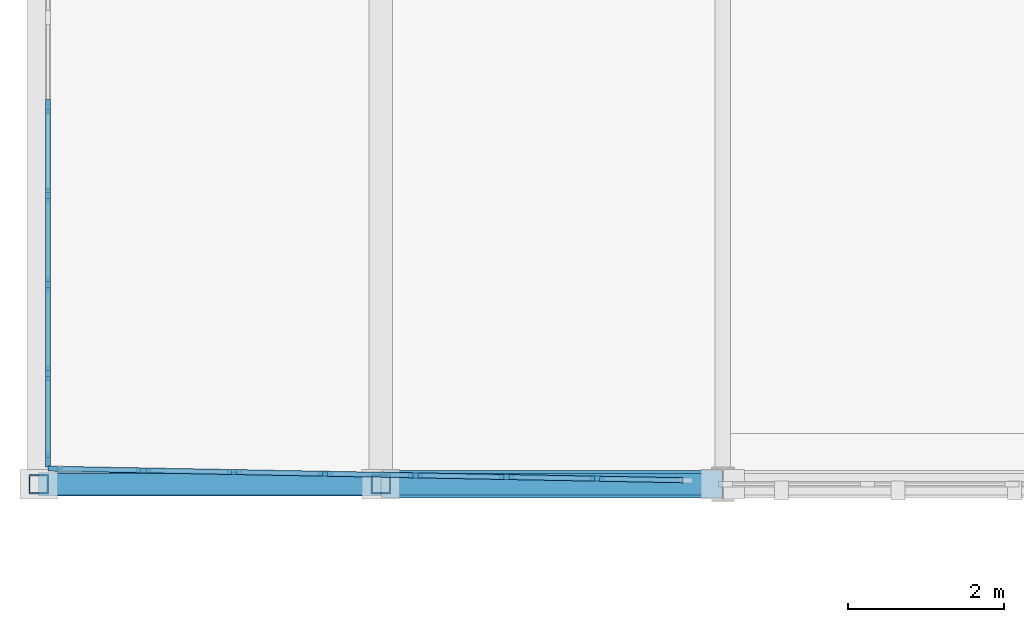
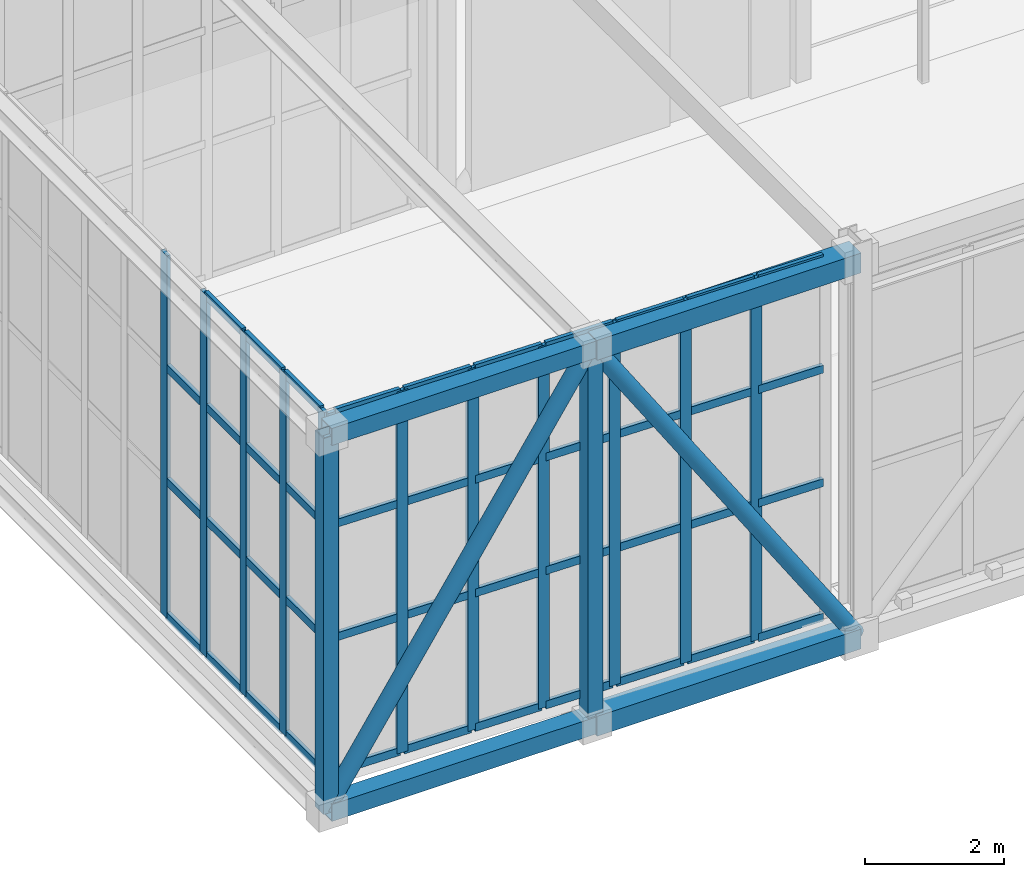
# One storey, part 12 of 62: 63 members, 2 elements without a shape of their own.
"""IFC4 building model written with IfcOpenShell, lengths in metres."""

from ifc_helpers import new_model, si_unit, direction, frame, origin, origin_2d, place, context, subcontext, project, spatial, rectangle, hollow_rectangle, hollow_circle, extrude, material, layer, layer_set, material_profile, profile_set, type_object, element, aggregate, save


model = new_model("IFC4")

# Units and contexts
model_context = context("Model", 3, precision=1e-05, world=origin(), true_north=direction((0.0, 1.0)))
body_context = subcontext(model_context, "Body", "Model", "MODEL_VIEW")
ifc_project = project(units=[si_unit("LENGTHUNIT", "METRE"), si_unit("AREAUNIT", "SQUARE_METRE"), si_unit("VOLUMEUNIT", "CUBIC_METRE"), si_unit("PLANEANGLEUNIT", "RADIAN"), si_unit("MASSUNIT", "GRAM", prefix="KILO")], contexts=[model_context])

# Site, building, storey
site_placement = place(None, origin())
site = spatial("IfcSite", under=ifc_project, at=site_placement, CompositionType="ELEMENT")
building_placement = place(site_placement, origin())
building = spatial("IfcBuilding", under=site, at=building_placement, Name="Zlatogorsky Bluff Art Gallery", CompositionType="ELEMENT")
storey_placement = place(building_placement, frame((0.0, 0.0, 16.800048828125)))
storey = spatial("IfcBuildingStorey", under=building, at=storey_placement, Name="L03", CompositionType="ELEMENT", Elevation=16.800048828125)

# Curtain wall, members
ifc_material_1 = material(Name="Anodised Bronze Aluminium and Low-Iron Triple Glazing", Category="aluminium")
ifc_layer = layer(ifc_material_1, 0.179931640625)
ifc_layer_set = layer_set([ifc_layer], Name="Curtain Wall CW-03")
curtain_wall_type = type_object("IfcCurtainWallType", Name="Curtain Wall CW-03", PredefinedType="USERDEFINED", material=ifc_layer_set)
curtain_wall_1_placement = place(storey_placement, origin())
curtain_wall_1 = element("IfcCurtainWall", 1, at=curtain_wall_1_placement, inside=storey, type_object=curtain_wall_type, Name="Cantilevered lookout curtain wall W", ObjectType="CURTAIN WALL", PredefinedType="USERDEFINED")
ifc_material_2 = material(Name="Anodised Bronze Aluminium", Category="aluminium")
ifc_material_profile_1 = material_profile(ifc_material_2, rectangle(XDim=0.06494140625, YDim=0.179931640625, at=origin_2d()), Name="ALU MULLION 65x180")
ifc_profile_set_1 = profile_set([ifc_material_profile_1], Name="Anodised Bronze Aluminium")
member_type_1 = type_object("IfcMemberType", Name="Curtain Mullion ML-01", PredefinedType="MULLION", material=ifc_profile_set_1)
member_1_placement = place(storey_placement, frame((-8.679931640625, 88.85595703125, 0.0), z_axis=(0.0, 0.0, 1.0), x_axis=(1.0, 0.0, 0.0)))
member_1 = element("IfcMember", 2, at=member_1_placement, type_object=member_type_1, Name="CW-03 mullion 7", PredefinedType="MULLION", context=body_context, shape_type="SweptSolid", body=[
    extrude(rectangle(XDim=0.06494140625, YDim=0.179931640625, at=origin_2d()), origin(), (0.0, 0.0, 1.0), 6.3798828125),
])
member_2_placement = place(storey_placement, frame((-8.679931640625, 87.7119140625, 0.0), z_axis=(0.0, 0.0, 1.0), x_axis=(1.0, 0.0, 0.0)))
member_2 = element("IfcMember", 3, at=member_2_placement, type_object=member_type_1, Name="CW-03 mullion 8", PredefinedType="MULLION", context=body_context, shape_type="SweptSolid", body=[
    extrude(rectangle(XDim=0.06494140625, YDim=0.179931640625, at=origin_2d()), origin(), (0.0, 0.0, 1.0), 6.3798828125),
])
member_3_placement = place(storey_placement, frame((-8.679931640625, 86.568115234375, 0.0), z_axis=(0.0, 0.0, 1.0), x_axis=(1.0, 0.0, 0.0)))
member_3 = element("IfcMember", 4, at=member_3_placement, type_object=member_type_1, Name="CW-03 mullion 9", PredefinedType="MULLION", context=body_context, shape_type="SweptSolid", body=[
    extrude(rectangle(XDim=0.06494140625, YDim=0.179931640625, at=origin_2d()), origin(), (0.0, 0.0, 1.0), 6.3798828125),
])
member_4_placement = place(storey_placement, frame((-8.679931640625, 85.424072265625, 0.0), z_axis=(0.0, 0.0, 1.0), x_axis=(1.0, 0.0, 0.0)))
member_4 = element("IfcMember", 5, at=member_4_placement, type_object=member_type_1, Name="CW-03 mullion 10", PredefinedType="MULLION", context=body_context, shape_type="SweptSolid", body=[
    extrude(rectangle(XDim=0.06494140625, YDim=0.179931640625, at=origin_2d()), origin(), (0.0, 0.0, 1.0), 6.3798828125),
])
member_5_placement = place(storey_placement, frame((-8.679931640625, 84.3125, 0.0), z_axis=(0.0, 0.0, 1.0), x_axis=(1.0, 0.0, 0.0)))
member_5 = element("IfcMember", 6, at=member_5_placement, type_object=member_type_1, Name="CW-03 mullion 11", PredefinedType="MULLION", context=body_context, shape_type="SweptSolid", body=[
    extrude(rectangle(XDim=0.06494140625, YDim=0.179931640625, at=origin_2d()), origin(), (0.0, 0.0, 1.0), 6.3798828125),
])

curtain_wall_2_placement = place(storey_placement, origin())
curtain_wall_2 = element("IfcCurtainWall", 7, at=curtain_wall_2_placement, inside=storey, type_object=curtain_wall_type, Name="Cantilevered lookout curtain wall S", ObjectType="CURTAIN WALL", PredefinedType="USERDEFINED")
member_6_placement = place(storey_placement, frame((-8.58740234375, 84.199462890625, 0.0), z_axis=(0.0, 0.0, 1.0), x_axis=(0.018356759503, 0.999831500494, 0.0)))
member_6 = element("IfcMember", 8, at=member_6_placement, type_object=member_type_1, Name="CW-03 mullion 1", PredefinedType="MULLION", context=body_context, shape_type="SweptSolid", body=[
    extrude(rectangle(XDim=0.06494140625, YDim=0.179931640625, at=origin_2d()), origin(), (0.0, 0.0, 1.0), 6.3798828125),
])
member_7_placement = place(storey_placement, frame((-7.452880859375, 84.178466796875, 0.0), z_axis=(0.0, 0.0, 1.0), x_axis=(0.018356759503, 0.999831500494, 0.0)))
member_7 = element("IfcMember", 9, at=member_7_placement, type_object=member_type_1, Name="CW-03 mullion 2", PredefinedType="MULLION", context=body_context, shape_type="SweptSolid", body=[
    extrude(rectangle(XDim=0.06494140625, YDim=0.179931640625, at=origin_2d()), origin(), (0.0, 0.0, 1.0), 6.3798828125),
])
member_8_placement = place(storey_placement, frame((-6.28564453125, 84.1572265625, 0.0), z_axis=(0.0, 0.0, 1.0), x_axis=(0.018356759503, 0.999831500494, 0.0)))
member_8 = element("IfcMember", 10, at=member_8_placement, type_object=member_type_1, Name="CW-03 mullion 3", PredefinedType="MULLION", context=body_context, shape_type="SweptSolid", body=[
    extrude(rectangle(XDim=0.06494140625, YDim=0.179931640625, at=origin_2d()), origin(), (0.0, 0.0, 1.0), 6.3798828125),
])
member_9_placement = place(storey_placement, frame((-5.11865234375, 84.1357421875, 0.0), z_axis=(0.0, 0.0, 1.0), x_axis=(0.018356759503, 0.999831500494, 0.0)))
member_9 = element("IfcMember", 11, at=member_9_placement, type_object=member_type_1, Name="CW-03 mullion 4", PredefinedType="MULLION", context=body_context, shape_type="SweptSolid", body=[
    extrude(rectangle(XDim=0.06494140625, YDim=0.179931640625, at=origin_2d()), origin(), (0.0, 0.0, 1.0), 6.3798828125),
])
member_10_placement = place(storey_placement, frame((-3.951416015625, 84.1142578125, 0.0), z_axis=(0.0, 0.0, 1.0), x_axis=(0.018356759503, 0.999831500494, 0.0)))
member_10 = element("IfcMember", 12, at=member_10_placement, type_object=member_type_1, Name="CW-03 mullion 5", PredefinedType="MULLION", context=body_context, shape_type="SweptSolid", body=[
    extrude(rectangle(XDim=0.06494140625, YDim=0.179931640625, at=origin_2d()), origin(), (0.0, 0.0, 1.0), 6.3798828125),
])
member_11_placement = place(storey_placement, frame((-2.7841796875, 84.0927734375, 0.0), z_axis=(0.0, 0.0, 1.0), x_axis=(0.018356759503, 0.999831500494, 0.0)))
member_11 = element("IfcMember", 13, at=member_11_placement, type_object=member_type_1, Name="CW-03 mullion 6", PredefinedType="MULLION", context=body_context, shape_type="SweptSolid", body=[
    extrude(rectangle(XDim=0.06494140625, YDim=0.179931640625, at=origin_2d()), origin(), (0.0, 0.0, 1.0), 6.3798828125),
])
member_12_placement = place(storey_placement, frame((-1.6171875, 84.071533203125, 0.0), z_axis=(0.0, 0.0, 1.0), x_axis=(0.018356759503, 0.999831500494, 0.0)))
member_12 = element("IfcMember", 14, at=member_12_placement, type_object=member_type_1, Name="CW-03 mullion 7", PredefinedType="MULLION", context=body_context, shape_type="SweptSolid", body=[
    extrude(rectangle(XDim=0.06494140625, YDim=0.179931640625, at=origin_2d()), origin(), (0.0, 0.0, 1.0), 6.3798828125),
])

# Member
ifc_material_profile_2 = material_profile(ifc_material_2, rectangle(XDim=0.06494140625, YDim=0.139892578125, at=origin_2d()), Name="ALU TRANSOM 65x140")
ifc_profile_set_2 = profile_set([ifc_material_profile_2], Name="Anodised Bronze Aluminium")
member_type_2 = type_object("IfcMemberType", Name="Curtain Transom TR-01", PredefinedType="USERDEFINED", material=ifc_profile_set_2)
member_13_placement = place(storey_placement, frame((-8.679931640625, 88.823486328125, 0.032470703125), z_axis=(0.0, -1.0, 0.0), x_axis=(1.0, 0.0, 0.0)))
member_13 = element("IfcMember", 15, at=member_13_placement, type_object=member_type_2, Name="CW-03 transom 7.1", ObjectType="TRANSOM", PredefinedType="USERDEFINED", context=body_context, shape_type="SweptSolid", body=[
    extrude(rectangle(XDim=0.06494140625, YDim=0.139892578125, at=origin_2d()), origin(), (0.0, 0.0, 1.0), 1.0791015625),
])

member_14_placement = place(storey_placement, frame((-8.679931640625, 88.823486328125, 2.39990234375), z_axis=(0.0, -1.0, 0.0), x_axis=(1.0, 0.0, 0.0)))
member_14 = element("IfcMember", 16, at=member_14_placement, type_object=member_type_2, Name="CW-03 transom 7.2", ObjectType="TRANSOM", PredefinedType="USERDEFINED", context=body_context, shape_type="SweptSolid", body=[
    extrude(rectangle(XDim=0.06494140625, YDim=0.139892578125, at=origin_2d()), origin(), (0.0, 0.0, 1.0), 1.0791015625),
])

member_15_placement = place(storey_placement, frame((-8.679931640625, 88.823486328125, 4.39990234375), z_axis=(0.0, -1.0, 0.0), x_axis=(1.0, 0.0, 0.0)))
member_15 = element("IfcMember", 17, at=member_15_placement, type_object=member_type_2, Name="CW-03 transom 7.3", ObjectType="TRANSOM", PredefinedType="USERDEFINED", context=body_context, shape_type="SweptSolid", body=[
    extrude(rectangle(XDim=0.06494140625, YDim=0.139892578125, at=origin_2d()), origin(), (0.0, 0.0, 1.0), 1.0791015625),
])

member_16_placement = place(storey_placement, frame((-8.679931640625, 87.679443359375, 0.032470703125), z_axis=(0.0, -1.0, 0.0), x_axis=(1.0, 0.0, 0.0)))
member_16 = element("IfcMember", 18, at=member_16_placement, type_object=member_type_2, Name="CW-03 transom 8.1", ObjectType="TRANSOM", PredefinedType="USERDEFINED", context=body_context, shape_type="SweptSolid", body=[
    extrude(rectangle(XDim=0.06494140625, YDim=0.139892578125, at=origin_2d()), origin(), (0.0, 0.0, 1.0), 1.078857421875),
])

member_17_placement = place(storey_placement, frame((-8.679931640625, 87.679443359375, 2.39990234375), z_axis=(0.0, -1.0, 0.0), x_axis=(1.0, 0.0, 0.0)))
member_17 = element("IfcMember", 19, at=member_17_placement, type_object=member_type_2, Name="CW-03 transom 8.2", ObjectType="TRANSOM", PredefinedType="USERDEFINED", context=body_context, shape_type="SweptSolid", body=[
    extrude(rectangle(XDim=0.06494140625, YDim=0.139892578125, at=origin_2d()), origin(), (0.0, 0.0, 1.0), 1.078857421875),
])

member_18_placement = place(storey_placement, frame((-8.679931640625, 87.679443359375, 4.39990234375), z_axis=(0.0, -1.0, 0.0), x_axis=(1.0, 0.0, 0.0)))
member_18 = element("IfcMember", 20, at=member_18_placement, type_object=member_type_2, Name="CW-03 transom 8.3", ObjectType="TRANSOM", PredefinedType="USERDEFINED", context=body_context, shape_type="SweptSolid", body=[
    extrude(rectangle(XDim=0.06494140625, YDim=0.139892578125, at=origin_2d()), origin(), (0.0, 0.0, 1.0), 1.078857421875),
])

member_19_placement = place(storey_placement, frame((-8.679931640625, 87.679443359375, 6.347412109375), z_axis=(0.0, -1.0, 0.0), x_axis=(1.0, 0.0, 0.0)))
member_19 = element("IfcMember", 21, at=member_19_placement, type_object=member_type_2, Name="CW-03 transom 8.4", ObjectType="TRANSOM", PredefinedType="USERDEFINED", context=body_context, shape_type="SweptSolid", body=[
    extrude(rectangle(XDim=0.06494140625, YDim=0.139892578125, at=origin_2d()), origin(), (0.0, 0.0, 1.0), 1.078857421875),
])

member_20_placement = place(storey_placement, frame((-8.679931640625, 86.535400390625, 0.032470703125), z_axis=(0.0, -1.0, 0.0), x_axis=(1.0, 0.0, 0.0)))
member_20 = element("IfcMember", 22, at=member_20_placement, type_object=member_type_2, Name="CW-03 transom 9.1", ObjectType="TRANSOM", PredefinedType="USERDEFINED", context=body_context, shape_type="SweptSolid", body=[
    extrude(rectangle(XDim=0.06494140625, YDim=0.139892578125, at=origin_2d()), origin(), (0.0, 0.0, 1.0), 1.078857421875),
])

member_21_placement = place(storey_placement, frame((-8.679931640625, 86.535400390625, 2.39990234375), z_axis=(0.0, -1.0, 0.0), x_axis=(1.0, 0.0, 0.0)))
member_21 = element("IfcMember", 23, at=member_21_placement, type_object=member_type_2, Name="CW-03 transom 9.2", ObjectType="TRANSOM", PredefinedType="USERDEFINED", context=body_context, shape_type="SweptSolid", body=[
    extrude(rectangle(XDim=0.06494140625, YDim=0.139892578125, at=origin_2d()), origin(), (0.0, 0.0, 1.0), 1.078857421875),
])

member_22_placement = place(storey_placement, frame((-8.679931640625, 86.535400390625, 4.39990234375), z_axis=(0.0, -1.0, 0.0), x_axis=(1.0, 0.0, 0.0)))
member_22 = element("IfcMember", 24, at=member_22_placement, type_object=member_type_2, Name="CW-03 transom 9.3", ObjectType="TRANSOM", PredefinedType="USERDEFINED", context=body_context, shape_type="SweptSolid", body=[
    extrude(rectangle(XDim=0.06494140625, YDim=0.139892578125, at=origin_2d()), origin(), (0.0, 0.0, 1.0), 1.078857421875),
])

member_23_placement = place(storey_placement, frame((-8.679931640625, 86.535400390625, 6.347412109375), z_axis=(0.0, -1.0, 0.0), x_axis=(1.0, 0.0, 0.0)))
member_23 = element("IfcMember", 25, at=member_23_placement, type_object=member_type_2, Name="CW-03 transom 9.4", ObjectType="TRANSOM", PredefinedType="USERDEFINED", context=body_context, shape_type="SweptSolid", body=[
    extrude(rectangle(XDim=0.06494140625, YDim=0.139892578125, at=origin_2d()), origin(), (0.0, 0.0, 1.0), 1.078857421875),
])

member_24_placement = place(storey_placement, frame((-8.679931640625, 85.3916015625, 0.032470703125), z_axis=(0.0, -1.0, 0.0), x_axis=(1.0, 0.0, 0.0)))
member_24 = element("IfcMember", 26, at=member_24_placement, type_object=member_type_2, Name="CW-03 transom 10.1", ObjectType="TRANSOM", PredefinedType="USERDEFINED", context=body_context, shape_type="SweptSolid", body=[
    extrude(rectangle(XDim=0.06494140625, YDim=0.139892578125, at=origin_2d()), origin(), (0.0, 0.0, 1.0), 1.046630859375),
])

member_25_placement = place(storey_placement, frame((-8.679931640625, 85.3916015625, 2.39990234375), z_axis=(0.0, -1.0, 0.0), x_axis=(1.0, 0.0, 0.0)))
member_25 = element("IfcMember", 27, at=member_25_placement, type_object=member_type_2, Name="CW-03 transom 10.2", ObjectType="TRANSOM", PredefinedType="USERDEFINED", context=body_context, shape_type="SweptSolid", body=[
    extrude(rectangle(XDim=0.06494140625, YDim=0.139892578125, at=origin_2d()), origin(), (0.0, 0.0, 1.0), 1.046630859375),
])

member_26_placement = place(storey_placement, frame((-8.679931640625, 85.3916015625, 4.39990234375), z_axis=(0.0, -1.0, 0.0), x_axis=(1.0, 0.0, 0.0)))
member_26 = element("IfcMember", 28, at=member_26_placement, type_object=member_type_2, Name="CW-03 transom 10.3", ObjectType="TRANSOM", PredefinedType="USERDEFINED", context=body_context, shape_type="SweptSolid", body=[
    extrude(rectangle(XDim=0.06494140625, YDim=0.139892578125, at=origin_2d()), origin(), (0.0, 0.0, 1.0), 1.046630859375),
])

member_27_placement = place(storey_placement, frame((-8.679931640625, 85.3916015625, 6.347412109375), z_axis=(0.0, -1.0, 0.0), x_axis=(1.0, 0.0, 0.0)))
member_27 = element("IfcMember", 29, at=member_27_placement, type_object=member_type_2, Name="CW-03 transom 10.4", ObjectType="TRANSOM", PredefinedType="USERDEFINED", context=body_context, shape_type="SweptSolid", body=[
    extrude(rectangle(XDim=0.06494140625, YDim=0.139892578125, at=origin_2d()), origin(), (0.0, 0.0, 1.0), 1.046630859375),
])

aggregate(curtain_wall_1, [member_1, member_2, member_3, member_4, member_5, member_13, member_14, member_15, member_16, member_17, member_18, member_19, member_20, member_21, member_22, member_23, member_24, member_25, member_26, member_27])

member_28_placement = place(storey_placement, frame((-8.554931640625, 84.19873046875, 0.032470703125), z_axis=(0.999833315631, -0.018257627311, 0.0), x_axis=(0.018257627311, 0.999833315631, 0.0)))
member_28 = element("IfcMember", 30, at=member_28_placement, type_object=member_type_2, Name="CW-03 transom 1.1", ObjectType="TRANSOM", PredefinedType="USERDEFINED", context=body_context, shape_type="SweptSolid", body=[
    extrude(rectangle(XDim=0.06494140625, YDim=0.139892578125, at=origin_2d()), origin(), (0.0, 0.0, 1.0), 1.06982421875),
])

member_29_placement = place(storey_placement, frame((-8.554931640625, 84.19873046875, 2.39990234375), z_axis=(0.999833315631, -0.018257627311, 0.0), x_axis=(0.018257627311, 0.999833315631, 0.0)))
member_29 = element("IfcMember", 31, at=member_29_placement, type_object=member_type_2, Name="CW-03 transom 1.2", ObjectType="TRANSOM", PredefinedType="USERDEFINED", context=body_context, shape_type="SweptSolid", body=[
    extrude(rectangle(XDim=0.06494140625, YDim=0.139892578125, at=origin_2d()), origin(), (0.0, 0.0, 1.0), 1.06982421875),
])

member_30_placement = place(storey_placement, frame((-8.554931640625, 84.19873046875, 4.39990234375), z_axis=(0.999833315631, -0.018257627311, 0.0), x_axis=(0.018257627311, 0.999833315631, 0.0)))
member_30 = element("IfcMember", 32, at=member_30_placement, type_object=member_type_2, Name="CW-03 transom 1.3", ObjectType="TRANSOM", PredefinedType="USERDEFINED", context=body_context, shape_type="SweptSolid", body=[
    extrude(rectangle(XDim=0.06494140625, YDim=0.139892578125, at=origin_2d()), origin(), (0.0, 0.0, 1.0), 1.06982421875),
])

member_31_placement = place(storey_placement, frame((-8.554931640625, 84.19873046875, 6.347412109375), z_axis=(0.999833315631, -0.018257627311, 0.0), x_axis=(0.018257627311, 0.999833315631, 0.0)))
member_31 = element("IfcMember", 33, at=member_31_placement, type_object=member_type_2, Name="CW-03 transom 1.4", ObjectType="TRANSOM", PredefinedType="USERDEFINED", context=body_context, shape_type="SweptSolid", body=[
    extrude(rectangle(XDim=0.06494140625, YDim=0.139892578125, at=origin_2d()), origin(), (0.0, 0.0, 1.0), 1.06982421875),
])

member_32_placement = place(storey_placement, frame((-7.42041015625, 84.177978515625, 0.032470703125), z_axis=(0.999831072396, -0.018380061796, 0.0), x_axis=(0.018380061796, 0.999831072396, 0.0)))
member_32 = element("IfcMember", 34, at=member_32_placement, type_object=member_type_2, Name="CW-03 transom 2.1", ObjectType="TRANSOM", PredefinedType="USERDEFINED", context=body_context, shape_type="SweptSolid", body=[
    extrude(rectangle(XDim=0.06494140625, YDim=0.139892578125, at=origin_2d()), origin(), (0.0, 0.0, 1.0), 1.1025390625),
])

member_33_placement = place(storey_placement, frame((-7.42041015625, 84.177978515625, 2.39990234375), z_axis=(0.999831072396, -0.018380061796, 0.0), x_axis=(0.018380061796, 0.999831072396, 0.0)))
member_33 = element("IfcMember", 35, at=member_33_placement, type_object=member_type_2, Name="CW-03 transom 2.2", ObjectType="TRANSOM", PredefinedType="USERDEFINED", context=body_context, shape_type="SweptSolid", body=[
    extrude(rectangle(XDim=0.06494140625, YDim=0.139892578125, at=origin_2d()), origin(), (0.0, 0.0, 1.0), 1.1025390625),
])

member_34_placement = place(storey_placement, frame((-7.42041015625, 84.177978515625, 4.39990234375), z_axis=(0.999831072396, -0.018380061796, 0.0), x_axis=(0.018380061796, 0.999831072396, 0.0)))
member_34 = element("IfcMember", 36, at=member_34_placement, type_object=member_type_2, Name="CW-03 transom 2.3", ObjectType="TRANSOM", PredefinedType="USERDEFINED", context=body_context, shape_type="SweptSolid", body=[
    extrude(rectangle(XDim=0.06494140625, YDim=0.139892578125, at=origin_2d()), origin(), (0.0, 0.0, 1.0), 1.1025390625),
])

member_35_placement = place(storey_placement, frame((-7.42041015625, 84.177978515625, 6.347412109375), z_axis=(0.999831072396, -0.018380061796, 0.0), x_axis=(0.018380061796, 0.999831072396, 0.0)))
member_35 = element("IfcMember", 37, at=member_35_placement, type_object=member_type_2, Name="CW-03 transom 2.4", ObjectType="TRANSOM", PredefinedType="USERDEFINED", context=body_context, shape_type="SweptSolid", body=[
    extrude(rectangle(XDim=0.06494140625, YDim=0.139892578125, at=origin_2d()), origin(), (0.0, 0.0, 1.0), 1.1025390625),
])

member_36_placement = place(storey_placement, frame((-6.253173828125, 84.156494140625, 0.032470703125), z_axis=(0.999830997561, -0.01838413221, 0.0), x_axis=(0.01838413221, 0.999830997561, 0.0)))
member_36 = element("IfcMember", 38, at=member_36_placement, type_object=member_type_2, Name="CW-03 transom 3.1", ObjectType="TRANSOM", PredefinedType="USERDEFINED", context=body_context, shape_type="SweptSolid", body=[
    extrude(rectangle(XDim=0.06494140625, YDim=0.139892578125, at=origin_2d()), origin(), (0.0, 0.0, 1.0), 1.102294921875),
])

member_37_placement = place(storey_placement, frame((-6.253173828125, 84.156494140625, 2.39990234375), z_axis=(0.999830997561, -0.01838413221, 0.0), x_axis=(0.01838413221, 0.999830997561, 0.0)))
member_37 = element("IfcMember", 39, at=member_37_placement, type_object=member_type_2, Name="CW-03 transom 3.2", ObjectType="TRANSOM", PredefinedType="USERDEFINED", context=body_context, shape_type="SweptSolid", body=[
    extrude(rectangle(XDim=0.06494140625, YDim=0.139892578125, at=origin_2d()), origin(), (0.0, 0.0, 1.0), 1.102294921875),
])

member_38_placement = place(storey_placement, frame((-6.253173828125, 84.156494140625, 4.39990234375), z_axis=(0.999830997561, -0.01838413221, 0.0), x_axis=(0.01838413221, 0.999830997561, 0.0)))
member_38 = element("IfcMember", 40, at=member_38_placement, type_object=member_type_2, Name="CW-03 transom 3.3", ObjectType="TRANSOM", PredefinedType="USERDEFINED", context=body_context, shape_type="SweptSolid", body=[
    extrude(rectangle(XDim=0.06494140625, YDim=0.139892578125, at=origin_2d()), origin(), (0.0, 0.0, 1.0), 1.102294921875),
])

member_39_placement = place(storey_placement, frame((-6.253173828125, 84.156494140625, 6.347412109375), z_axis=(0.999830997561, -0.01838413221, 0.0), x_axis=(0.01838413221, 0.999830997561, 0.0)))
member_39 = element("IfcMember", 41, at=member_39_placement, type_object=member_type_2, Name="CW-03 transom 3.4", ObjectType="TRANSOM", PredefinedType="USERDEFINED", context=body_context, shape_type="SweptSolid", body=[
    extrude(rectangle(XDim=0.06494140625, YDim=0.139892578125, at=origin_2d()), origin(), (0.0, 0.0, 1.0), 1.102294921875),
])

member_40_placement = place(storey_placement, frame((-5.086181640625, 84.135009765625, 0.032470703125), z_axis=(0.999835117419, -0.018158688733, 0.0), x_axis=(0.018158688733, 0.999835117419, 0.0)))
member_40 = element("IfcMember", 42, at=member_40_placement, type_object=member_type_2, Name="CW-03 transom 4.1", ObjectType="TRANSOM", PredefinedType="USERDEFINED", context=body_context, shape_type="SweptSolid", body=[
    extrude(rectangle(XDim=0.06494140625, YDim=0.139892578125, at=origin_2d()), origin(), (0.0, 0.0, 1.0), 1.1025390625),
])

member_41_placement = place(storey_placement, frame((-5.086181640625, 84.135009765625, 2.39990234375), z_axis=(0.999835117419, -0.018158688733, 0.0), x_axis=(0.018158688733, 0.999835117419, 0.0)))
member_41 = element("IfcMember", 43, at=member_41_placement, type_object=member_type_2, Name="CW-03 transom 4.2", ObjectType="TRANSOM", PredefinedType="USERDEFINED", context=body_context, shape_type="SweptSolid", body=[
    extrude(rectangle(XDim=0.06494140625, YDim=0.139892578125, at=origin_2d()), origin(), (0.0, 0.0, 1.0), 1.1025390625),
])

member_42_placement = place(storey_placement, frame((-5.086181640625, 84.135009765625, 4.39990234375), z_axis=(0.999835117419, -0.018158688733, 0.0), x_axis=(0.018158688733, 0.999835117419, 0.0)))
member_42 = element("IfcMember", 44, at=member_42_placement, type_object=member_type_2, Name="CW-03 transom 4.3", ObjectType="TRANSOM", PredefinedType="USERDEFINED", context=body_context, shape_type="SweptSolid", body=[
    extrude(rectangle(XDim=0.06494140625, YDim=0.139892578125, at=origin_2d()), origin(), (0.0, 0.0, 1.0), 1.1025390625),
])

member_43_placement = place(storey_placement, frame((-5.086181640625, 84.135009765625, 6.347412109375), z_axis=(0.999835117419, -0.018158688733, 0.0), x_axis=(0.018158688733, 0.999835117419, 0.0)))
member_43 = element("IfcMember", 45, at=member_43_placement, type_object=member_type_2, Name="CW-03 transom 4.4", ObjectType="TRANSOM", PredefinedType="USERDEFINED", context=body_context, shape_type="SweptSolid", body=[
    extrude(rectangle(XDim=0.06494140625, YDim=0.139892578125, at=origin_2d()), origin(), (0.0, 0.0, 1.0), 1.1025390625),
])

member_44_placement = place(storey_placement, frame((-3.9189453125, 84.11376953125, 0.032470703125), z_axis=(0.999830997561, -0.01838413221, 0.0), x_axis=(0.01838413221, 0.999830997561, 0.0)))
member_44 = element("IfcMember", 46, at=member_44_placement, type_object=member_type_2, Name="CW-03 transom 5.1", ObjectType="TRANSOM", PredefinedType="USERDEFINED", context=body_context, shape_type="SweptSolid", body=[
    extrude(rectangle(XDim=0.06494140625, YDim=0.139892578125, at=origin_2d()), origin(), (0.0, 0.0, 1.0), 1.102294921875),
])

member_45_placement = place(storey_placement, frame((-3.9189453125, 84.11376953125, 2.39990234375), z_axis=(0.999830997561, -0.01838413221, 0.0), x_axis=(0.01838413221, 0.999830997561, 0.0)))
member_45 = element("IfcMember", 47, at=member_45_placement, type_object=member_type_2, Name="CW-03 transom 5.2", ObjectType="TRANSOM", PredefinedType="USERDEFINED", context=body_context, shape_type="SweptSolid", body=[
    extrude(rectangle(XDim=0.06494140625, YDim=0.139892578125, at=origin_2d()), origin(), (0.0, 0.0, 1.0), 1.102294921875),
])

member_46_placement = place(storey_placement, frame((-3.9189453125, 84.11376953125, 4.39990234375), z_axis=(0.999830997561, -0.01838413221, 0.0), x_axis=(0.01838413221, 0.999830997561, 0.0)))
member_46 = element("IfcMember", 48, at=member_46_placement, type_object=member_type_2, Name="CW-03 transom 5.3", ObjectType="TRANSOM", PredefinedType="USERDEFINED", context=body_context, shape_type="SweptSolid", body=[
    extrude(rectangle(XDim=0.06494140625, YDim=0.139892578125, at=origin_2d()), origin(), (0.0, 0.0, 1.0), 1.102294921875),
])

member_47_placement = place(storey_placement, frame((-3.9189453125, 84.11376953125, 6.347412109375), z_axis=(0.999830997561, -0.01838413221, 0.0), x_axis=(0.01838413221, 0.999830997561, 0.0)))
member_47 = element("IfcMember", 49, at=member_47_placement, type_object=member_type_2, Name="CW-03 transom 5.4", ObjectType="TRANSOM", PredefinedType="USERDEFINED", context=body_context, shape_type="SweptSolid", body=[
    extrude(rectangle(XDim=0.06494140625, YDim=0.139892578125, at=origin_2d()), origin(), (0.0, 0.0, 1.0), 1.102294921875),
])

member_48_placement = place(storey_placement, frame((-2.751708984375, 84.09228515625, 0.032470703125), z_axis=(0.999830997561, -0.01838413221, 0.0), x_axis=(0.01838413221, 0.999830997561, 0.0)))
member_48 = element("IfcMember", 50, at=member_48_placement, type_object=member_type_2, Name="CW-03 transom 6.1", ObjectType="TRANSOM", PredefinedType="USERDEFINED", context=body_context, shape_type="SweptSolid", body=[
    extrude(rectangle(XDim=0.06494140625, YDim=0.139892578125, at=origin_2d()), origin(), (0.0, 0.0, 1.0), 1.102294921875),
])

member_49_placement = place(storey_placement, frame((-2.751708984375, 84.09228515625, 2.39990234375), z_axis=(0.999830997561, -0.01838413221, 0.0), x_axis=(0.01838413221, 0.999830997561, 0.0)))
member_49 = element("IfcMember", 51, at=member_49_placement, type_object=member_type_2, Name="CW-03 transom 6.2", ObjectType="TRANSOM", PredefinedType="USERDEFINED", context=body_context, shape_type="SweptSolid", body=[
    extrude(rectangle(XDim=0.06494140625, YDim=0.139892578125, at=origin_2d()), origin(), (0.0, 0.0, 1.0), 1.102294921875),
])

member_50_placement = place(storey_placement, frame((-2.751708984375, 84.09228515625, 4.39990234375), z_axis=(0.999830997561, -0.01838413221, 0.0), x_axis=(0.01838413221, 0.999830997561, 0.0)))
member_50 = element("IfcMember", 52, at=member_50_placement, type_object=member_type_2, Name="CW-03 transom 6.3", ObjectType="TRANSOM", PredefinedType="USERDEFINED", context=body_context, shape_type="SweptSolid", body=[
    extrude(rectangle(XDim=0.06494140625, YDim=0.139892578125, at=origin_2d()), origin(), (0.0, 0.0, 1.0), 1.102294921875),
])

member_51_placement = place(storey_placement, frame((-2.751708984375, 84.09228515625, 6.347412109375), z_axis=(0.999830997561, -0.01838413221, 0.0), x_axis=(0.01838413221, 0.999830997561, 0.0)))
member_51 = element("IfcMember", 53, at=member_51_placement, type_object=member_type_2, Name="CW-03 transom 6.4", ObjectType="TRANSOM", PredefinedType="USERDEFINED", context=body_context, shape_type="SweptSolid", body=[
    extrude(rectangle(XDim=0.06494140625, YDim=0.139892578125, at=origin_2d()), origin(), (0.0, 0.0, 1.0), 1.102294921875),
])

member_52_placement = place(storey_placement, frame((-1.584716796875, 84.07080078125, 0.032470703125), z_axis=(0.99983339168, -0.018253462194, 0.0), x_axis=(0.018253462194, 0.99983339168, 0.0)))
member_52 = element("IfcMember", 54, at=member_52_placement, type_object=member_type_2, Name="CW-03 transom 7.1", ObjectType="TRANSOM", PredefinedType="USERDEFINED", context=body_context, shape_type="SweptSolid", body=[
    extrude(rectangle(XDim=0.06494140625, YDim=0.139892578125, at=origin_2d()), origin(), (0.0, 0.0, 1.0), 1.070068359375),
])

member_53_placement = place(storey_placement, frame((-1.584716796875, 84.07080078125, 2.39990234375), z_axis=(0.99983339168, -0.018253462194, 0.0), x_axis=(0.018253462194, 0.99983339168, 0.0)))
member_53 = element("IfcMember", 55, at=member_53_placement, type_object=member_type_2, Name="CW-03 transom 7.2", ObjectType="TRANSOM", PredefinedType="USERDEFINED", context=body_context, shape_type="SweptSolid", body=[
    extrude(rectangle(XDim=0.06494140625, YDim=0.139892578125, at=origin_2d()), origin(), (0.0, 0.0, 1.0), 1.070068359375),
])

member_54_placement = place(storey_placement, frame((-1.584716796875, 84.07080078125, 4.39990234375), z_axis=(0.99983339168, -0.018253462194, 0.0), x_axis=(0.018253462194, 0.99983339168, 0.0)))
member_54 = element("IfcMember", 56, at=member_54_placement, type_object=member_type_2, Name="CW-03 transom 7.3", ObjectType="TRANSOM", PredefinedType="USERDEFINED", context=body_context, shape_type="SweptSolid", body=[
    extrude(rectangle(XDim=0.06494140625, YDim=0.139892578125, at=origin_2d()), origin(), (0.0, 0.0, 1.0), 1.070068359375),
])

member_55_placement = place(storey_placement, frame((-1.584716796875, 84.07080078125, 6.347412109375), z_axis=(0.99983339168, -0.018253462194, 0.0), x_axis=(0.018253462194, 0.99983339168, 0.0)))
member_55 = element("IfcMember", 57, at=member_55_placement, type_object=member_type_2, Name="CW-03 transom 7.4", ObjectType="TRANSOM", PredefinedType="USERDEFINED", context=body_context, shape_type="SweptSolid", body=[
    extrude(rectangle(XDim=0.06494140625, YDim=0.139892578125, at=origin_2d()), origin(), (0.0, 0.0, 1.0), 1.070068359375),
])

aggregate(curtain_wall_2, [member_6, member_7, member_8, member_9, member_10, member_11, member_12, member_28, member_29, member_30, member_31, member_32, member_33, member_34, member_35, member_36, member_37, member_38, member_39, member_40, member_41, member_42, member_43, member_44, member_45, member_46, member_47, member_48, member_49, member_50, member_51, member_52, member_53, member_54, member_55])

# Members
ifc_material_3 = material(Name="Steel S355", Category="steel")
ifc_material_profile_3 = material_profile(ifc_material_3, hollow_rectangle(XDim=0.35009765625, YDim=0.35009765625, WallThickness=0.01611328125, at=origin_2d()), Name="SHS 350x350x16")
ifc_profile_set_3 = profile_set([ifc_material_profile_3], Name="Steel S355")
member_type_3 = type_object("IfcMemberType", Name="Member TC-01 SHS 350x350x16", PredefinedType="CHORD", material=ifc_profile_set_3)
for number, where, z_axis, x_axis, name in (
    (58, (-4.39990234375, 84.0, -0.4150390625), (1.0, 0.0, 0.0), (0.0, 1.0, 0.0), "Lookout cantilever truss bottom chord S.2"),
    (59, (-4.39990234375, 84.0, 6.204833984375), (1.0, 0.0, 0.0), (0.0, 1.0, 0.0), "Lookout cantilever truss top chord S.2"),
):
    element("IfcMember", number, at=place(storey_placement, frame(where, z_axis=z_axis, x_axis=x_axis)), inside=storey, type_object=member_type_3, Name=name, PredefinedType="CHORD", context=body_context, shape_type="SweptSolid", body=[
        extrude(hollow_rectangle(XDim=0.35009765625, YDim=0.35009765625, WallThickness=0.01611328125, at=origin_2d()), origin(), (0.0, 0.0, 1.0), 4.39990234375),
    ])
ifc_material_profile_4 = material_profile(ifc_material_3, hollow_rectangle(XDim=0.300048828125, YDim=0.300048828125, WallThickness=0.01611328125, at=origin_2d()), Name="SHS 300x300x16")
ifc_profile_set_4 = profile_set([ifc_material_profile_4], Name="Steel S355")
member_type_4 = type_object("IfcMemberType", Name="Member TC-02 SHS 300x300x16", PredefinedType="CHORD", material=ifc_profile_set_4)
for number, where, z_axis, x_axis, name in (
    (60, (-8.800048828125, 84.0, -0.4150390625), (1.0, 0.0, 0.0), (0.0, 1.0, 0.0), "Lookout cantilever truss bottom chord S.1"),
    (61, (-8.800048828125, 84.0, 6.204833984375), (1.0, 0.0, 0.0), (0.0, 1.0, 0.0), "Lookout cantilever truss top chord S.1"),
):
    element("IfcMember", number, at=place(storey_placement, frame(where, z_axis=z_axis, x_axis=x_axis)), inside=storey, type_object=member_type_4, Name=name, PredefinedType="CHORD", context=body_context, shape_type="SweptSolid", body=[
        extrude(hollow_rectangle(XDim=0.300048828125, YDim=0.300048828125, WallThickness=0.01611328125, at=origin_2d()), origin(), (0.0, 0.0, 1.0), 4.400146484375),
    ])
ifc_material_profile_5 = material_profile(ifc_material_3, hollow_circle(Radius=0.136474609375, WallThickness=0.01611328125, at=origin_2d()), Name="CHS 273x16")
ifc_profile_set_5 = profile_set([ifc_material_profile_5], Name="Steel S355")
member_type_5 = type_object("IfcMemberType", Name="Member TD-01 CHS 273x16", PredefinedType="BRACE", material=ifc_profile_set_5)
for number, where, z_axis, x_axis, name in (
    (62, (-8.800048828125, 84.0, -0.4150390625), (0.553558531083, 0.0, 0.832810274111), (0.0, 1.0, 0.0), "Lookout cantilever truss web diagonal S.1"),
    (63, (-4.39990234375, 84.0, 6.204833984375), (0.553537228136, 0.0, -0.83282443352), (0.0, 1.0, 0.0), "Lookout cantilever truss web diagonal S.2"),
):
    element("IfcMember", number, at=place(storey_placement, frame(where, z_axis=z_axis, x_axis=x_axis)), inside=storey, type_object=member_type_5, Name=name, PredefinedType="BRACE", context=body_context, shape_type="SweptSolid", body=[
        extrude(hollow_circle(Radius=0.136474609375, WallThickness=0.01611328125, at=origin_2d()), origin(), (0.0, 0.0, 1.0), 7.94873046875),
    ])
ifc_material_profile_6 = material_profile(ifc_material_3, hollow_rectangle(XDim=0.25, YDim=0.25, WallThickness=0.01611328125, at=origin_2d()), Name="SHS 250x250x16")
ifc_profile_set_6 = profile_set([ifc_material_profile_6], Name="Steel S355")
member_type_6 = type_object("IfcMemberType", Name="Member TP-01 SHS 250x250x16", PredefinedType="POST", material=ifc_profile_set_6)
for number, where, z_axis, x_axis, name in (
    (64, (-8.800048828125, 84.0, -0.4150390625), (0.0, 0.0, 1.0), (1.0, 0.0, 0.0), "Lookout cantilever truss post S.1"),
    (65, (-4.39990234375, 84.0, -0.4150390625), (0.0, 0.0, 1.0), (1.0, 0.0, 0.0), "Lookout cantilever truss post S.2"),
):
    element("IfcMember", number, at=place(storey_placement, frame(where, z_axis=z_axis, x_axis=x_axis)), inside=storey, type_object=member_type_6, Name=name, PredefinedType="POST", context=body_context, shape_type="SweptSolid", body=[
        extrude(hollow_rectangle(XDim=0.25, YDim=0.25, WallThickness=0.01611328125, at=origin_2d()), origin(), (0.0, 0.0, 1.0), 6.619873046875),
    ])

save(model, "model.ifc")
